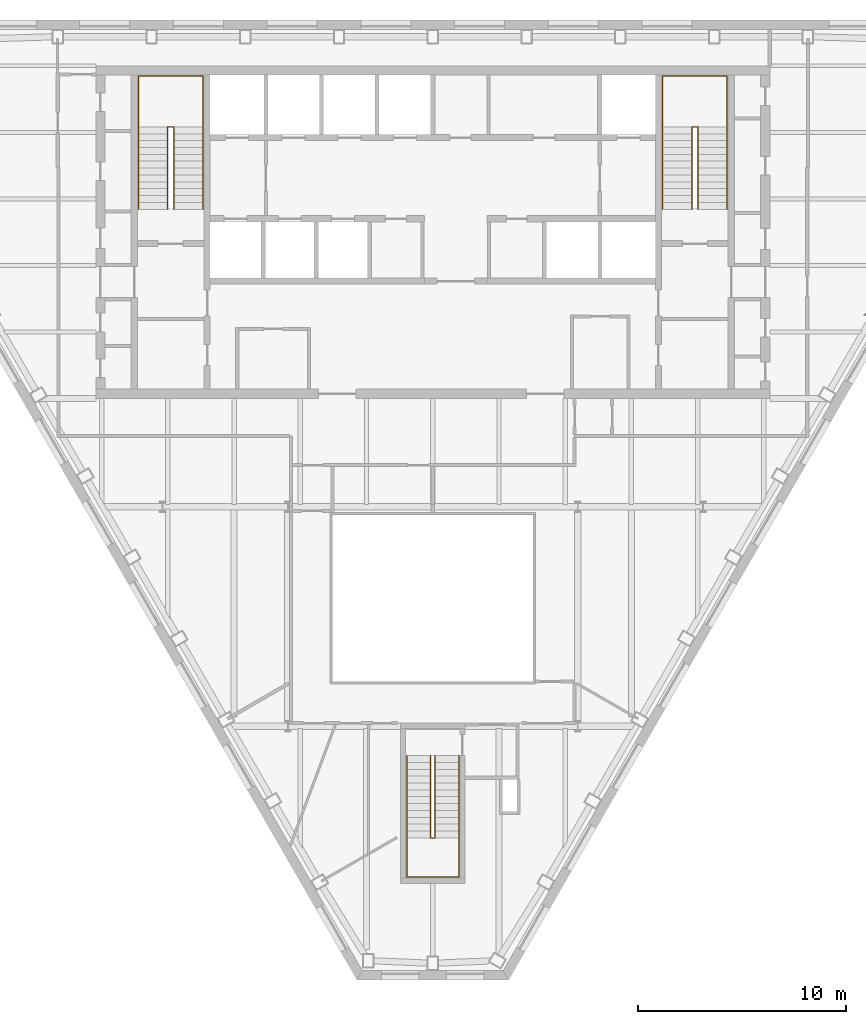
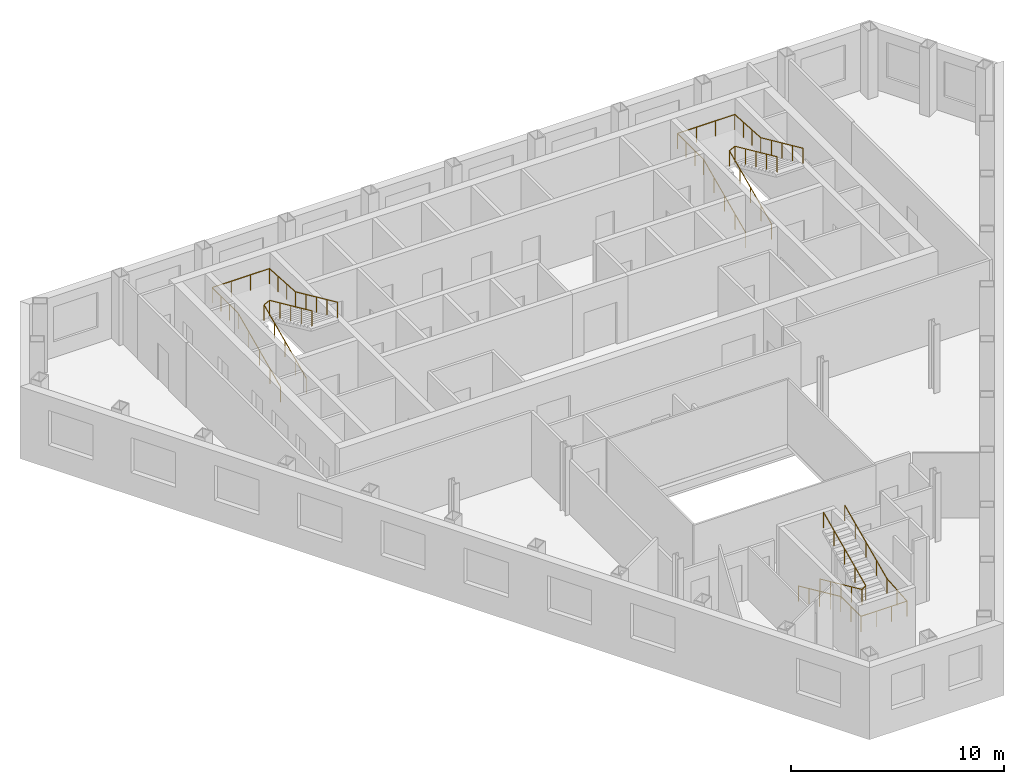
# One storey, part 11 of 11: 6 railings.
"""IFC4 building model written with IfcOpenShell, lengths in metres."""

from ifc_helpers import new_model, si_unit, direction, frame, origin, origin_2d, place, context, subcontext, project, spatial, circle, extrude, material, type_object, element, save


model = new_model("IFC4")

# Units and contexts
model_context = context("Model", 3, precision=1e-05, world=origin(), true_north=direction((0.0, 1.0)))
body_context = subcontext(model_context, "Body", "Model", "MODEL_VIEW")
ifc_project = project(units=[si_unit("LENGTHUNIT", "METRE"), si_unit("AREAUNIT", "SQUARE_METRE"), si_unit("VOLUMEUNIT", "CUBIC_METRE"), si_unit("PLANEANGLEUNIT", "RADIAN"), si_unit("MASSUNIT", "GRAM", prefix="KILO")], contexts=[model_context])

# Site, building, storey
site_placement = place(None, origin())
site = spatial("IfcSite", under=ifc_project, at=site_placement, CompositionType="ELEMENT")
building_placement = place(site_placement, origin())
building = spatial("IfcBuilding", under=site, at=building_placement, Name="Njiva Tower", CompositionType="ELEMENT")
storey_placement = place(building_placement, frame((0.0, 0.0, 212.1)))
storey = spatial("IfcBuildingStorey", under=building, at=storey_placement, Name="L47", CompositionType="ELEMENT", Elevation=212.1)

# Railings
ifc_material = material(Name="Stainless steel", Category="steel")
railing_type = type_object("IfcRailingType", Name="RL1 Stair handrail 900", PredefinedType="HANDRAIL", material=ifc_material)
railing_1_placement = place(storey_placement, frame((-14.15, 11.1, 0.15)))
element("IfcRailing", 1, at=railing_1_placement, inside=storey, type_object=railing_type, Name="Stair A handrail", PredefinedType="HANDRAIL", context=body_context, shape_type="SweptSolid", body=[
    extrude(circle(Radius=0.024, at=origin_2d()), frame((0.0, 0.0, 0.876), z_axis=(0.0, 0.910366477463, 0.413802944301), x_axis=(-1.0, 0.0, 0.0)), (0.0, 0.0, 1.0), 4.3499),
    extrude(circle(Radius=0.024, at=origin_2d()), frame((0.0, 3.96, 2.676), z_axis=(0.0, 1.0, 0.0), x_axis=(-1.0, 0.0, 0.0)), (0.0, 0.0, 1.0), 2.44),
    extrude(circle(Radius=0.024, at=origin_2d()), frame((0.0, 6.4, 2.676), z_axis=(1.0, 0.0, 0.0), x_axis=(0.0, 1.0, 0.0)), (0.0, 0.0, 1.0), 3.1),
    extrude(circle(Radius=0.024, at=origin_2d()), frame((3.1, 6.4, 2.676), z_axis=(0.0, -0.998115726137, 0.061359573328), x_axis=(1.0, 0.0, 0.0)), (0.0, 0.0, 1.0), 2.4446),
    extrude(circle(Radius=0.024, at=origin_2d()), frame((3.1, 3.96, 2.826), z_axis=(0.0, -0.910366477463, 0.413802944301), x_axis=(1.0, 0.0, 0.0)), (0.0, 0.0, 1.0), 4.3499),
    extrude(circle(Radius=0.021, at=origin_2d()), origin(), (0.0, 0.0, 1.0), 0.852),
    extrude(circle(Radius=0.021, at=origin_2d()), frame((0.0, 0.99, 0.45)), (0.0, 0.0, 1.0), 0.852),
    extrude(circle(Radius=0.021, at=origin_2d()), frame((0.0, 1.98, 0.9)), (0.0, 0.0, 1.0), 0.852),
    extrude(circle(Radius=0.021, at=origin_2d()), frame((0.0, 2.97, 1.35)), (0.0, 0.0, 1.0), 0.852),
    extrude(circle(Radius=0.021, at=origin_2d()), frame((0.0, 3.96, 1.8)), (0.0, 0.0, 1.0), 0.852),
    extrude(circle(Radius=0.021, at=origin_2d()), frame((0.0, 4.7733, 1.8)), (0.0, 0.0, 1.0), 0.852),
    extrude(circle(Radius=0.021, at=origin_2d()), frame((0.0, 5.5867, 1.8)), (0.0, 0.0, 1.0), 0.852),
    extrude(circle(Radius=0.021, at=origin_2d()), frame((0.0, 6.4, 1.8)), (0.0, 0.0, 1.0), 0.852),
    extrude(circle(Radius=0.021, at=origin_2d()), frame((1.0333, 6.4, 1.8)), (0.0, 0.0, 1.0), 0.852),
    extrude(circle(Radius=0.021, at=origin_2d()), frame((2.0667, 6.4, 1.8)), (0.0, 0.0, 1.0), 0.852),
    extrude(circle(Radius=0.021, at=origin_2d()), frame((3.1, 6.4, 1.8)), (0.0, 0.0, 1.0), 0.852),
    extrude(circle(Radius=0.021, at=origin_2d()), frame((3.1, 5.5867, 1.85)), (0.0, 0.0, 1.0), 0.852),
    extrude(circle(Radius=0.021, at=origin_2d()), frame((3.1, 4.7733, 1.9)), (0.0, 0.0, 1.0), 0.852),
    extrude(circle(Radius=0.021, at=origin_2d()), frame((3.1, 3.96, 1.95)), (0.0, 0.0, 1.0), 0.852),
    extrude(circle(Radius=0.021, at=origin_2d()), frame((3.1, 2.97, 2.4)), (0.0, 0.0, 1.0), 0.852),
    extrude(circle(Radius=0.021, at=origin_2d()), frame((3.1, 1.98, 2.85)), (0.0, 0.0, 1.0), 0.852),
    extrude(circle(Radius=0.021, at=origin_2d()), frame((3.1, 0.99, 3.3)), (0.0, 0.0, 1.0), 0.852),
    extrude(circle(Radius=0.021, at=origin_2d()), frame((3.1, 0.0, 3.75)), (0.0, 0.0, 1.0), 0.852),
])
railing_2_placement = place(storey_placement, frame((-12.75, 11.1, 0.15)))
element("IfcRailing", 2, at=railing_2_placement, inside=storey, type_object=railing_type, Name="Stair A handrail", PredefinedType="HANDRAIL", context=body_context, shape_type="SweptSolid", body=[
    extrude(circle(Radius=0.024, at=origin_2d()), frame((0.0, 0.0, 0.876), z_axis=(0.0, 0.910366477463, 0.413802944301), x_axis=(-1.0, 0.0, 0.0)), (0.0, 0.0, 1.0), 4.3499),
    extrude(circle(Radius=0.024, at=origin_2d()), frame((0.0, 3.96, 2.676), z_axis=(0.894427191, 0.0, 0.4472135955), x_axis=(0.0, 1.0, 0.0)), (0.0, 0.0, 1.0), 0.3354),
    extrude(circle(Radius=0.024, at=origin_2d()), frame((0.3, 3.96, 2.826), z_axis=(0.0, -0.910366477463, 0.413802944301), x_axis=(1.0, 0.0, 0.0)), (0.0, 0.0, 1.0), 4.3499),
    extrude(circle(Radius=0.021, at=origin_2d()), origin(), (0.0, 0.0, 1.0), 0.852),
    extrude(circle(Radius=0.021, at=origin_2d()), frame((0.0, 0.99, 0.45)), (0.0, 0.0, 1.0), 0.852),
    extrude(circle(Radius=0.021, at=origin_2d()), frame((0.0, 1.98, 0.9)), (0.0, 0.0, 1.0), 0.852),
    extrude(circle(Radius=0.021, at=origin_2d()), frame((0.0, 2.97, 1.35)), (0.0, 0.0, 1.0), 0.852),
    extrude(circle(Radius=0.021, at=origin_2d()), frame((0.0, 3.96, 1.8)), (0.0, 0.0, 1.0), 0.852),
    extrude(circle(Radius=0.021, at=origin_2d()), frame((0.3, 3.96, 1.95)), (0.0, 0.0, 1.0), 0.852),
    extrude(circle(Radius=0.021, at=origin_2d()), frame((0.3, 2.97, 2.4)), (0.0, 0.0, 1.0), 0.852),
    extrude(circle(Radius=0.021, at=origin_2d()), frame((0.3, 1.98, 2.85)), (0.0, 0.0, 1.0), 0.852),
    extrude(circle(Radius=0.021, at=origin_2d()), frame((0.3, 0.99, 3.3)), (0.0, 0.0, 1.0), 0.852),
    extrude(circle(Radius=0.021, at=origin_2d()), frame((0.3, 0.0, 3.75)), (0.0, 0.0, 1.0), 0.852),
])
railing_3_placement = place(storey_placement, frame((11.05, 11.1, 0.15)))
element("IfcRailing", 3, at=railing_3_placement, inside=storey, type_object=railing_type, Name="Stair B handrail", PredefinedType="HANDRAIL", context=body_context, shape_type="SweptSolid", body=[
    extrude(circle(Radius=0.024, at=origin_2d()), frame((0.0, 0.0, 0.876), z_axis=(0.0, 0.910366477463, 0.413802944301), x_axis=(-1.0, 0.0, 0.0)), (0.0, 0.0, 1.0), 4.3499),
    extrude(circle(Radius=0.024, at=origin_2d()), frame((0.0, 3.96, 2.676), z_axis=(0.0, 1.0, 0.0), x_axis=(-1.0, 0.0, 0.0)), (0.0, 0.0, 1.0), 2.44),
    extrude(circle(Radius=0.024, at=origin_2d()), frame((0.0, 6.4, 2.676), z_axis=(1.0, 0.0, 0.0), x_axis=(0.0, 1.0, 0.0)), (0.0, 0.0, 1.0), 3.1),
    extrude(circle(Radius=0.024, at=origin_2d()), frame((3.1, 6.4, 2.676), z_axis=(0.0, -0.998115726137, 0.061359573328), x_axis=(1.0, 0.0, 0.0)), (0.0, 0.0, 1.0), 2.4446),
    extrude(circle(Radius=0.024, at=origin_2d()), frame((3.1, 3.96, 2.826), z_axis=(0.0, -0.910366477463, 0.413802944301), x_axis=(1.0, 0.0, 0.0)), (0.0, 0.0, 1.0), 4.3499),
    extrude(circle(Radius=0.021, at=origin_2d()), origin(), (0.0, 0.0, 1.0), 0.852),
    extrude(circle(Radius=0.021, at=origin_2d()), frame((0.0, 0.99, 0.45)), (0.0, 0.0, 1.0), 0.852),
    extrude(circle(Radius=0.021, at=origin_2d()), frame((0.0, 1.98, 0.9)), (0.0, 0.0, 1.0), 0.852),
    extrude(circle(Radius=0.021, at=origin_2d()), frame((0.0, 2.97, 1.35)), (0.0, 0.0, 1.0), 0.852),
    extrude(circle(Radius=0.021, at=origin_2d()), frame((0.0, 3.96, 1.8)), (0.0, 0.0, 1.0), 0.852),
    extrude(circle(Radius=0.021, at=origin_2d()), frame((0.0, 4.7733, 1.8)), (0.0, 0.0, 1.0), 0.852),
    extrude(circle(Radius=0.021, at=origin_2d()), frame((0.0, 5.5867, 1.8)), (0.0, 0.0, 1.0), 0.852),
    extrude(circle(Radius=0.021, at=origin_2d()), frame((0.0, 6.4, 1.8)), (0.0, 0.0, 1.0), 0.852),
    extrude(circle(Radius=0.021, at=origin_2d()), frame((1.0333, 6.4, 1.8)), (0.0, 0.0, 1.0), 0.852),
    extrude(circle(Radius=0.021, at=origin_2d()), frame((2.0667, 6.4, 1.8)), (0.0, 0.0, 1.0), 0.852),
    extrude(circle(Radius=0.021, at=origin_2d()), frame((3.1, 6.4, 1.8)), (0.0, 0.0, 1.0), 0.852),
    extrude(circle(Radius=0.021, at=origin_2d()), frame((3.1, 5.5867, 1.85)), (0.0, 0.0, 1.0), 0.852),
    extrude(circle(Radius=0.021, at=origin_2d()), frame((3.1, 4.7733, 1.9)), (0.0, 0.0, 1.0), 0.852),
    extrude(circle(Radius=0.021, at=origin_2d()), frame((3.1, 3.96, 1.95)), (0.0, 0.0, 1.0), 0.852),
    extrude(circle(Radius=0.021, at=origin_2d()), frame((3.1, 2.97, 2.4)), (0.0, 0.0, 1.0), 0.852),
    extrude(circle(Radius=0.021, at=origin_2d()), frame((3.1, 1.98, 2.85)), (0.0, 0.0, 1.0), 0.852),
    extrude(circle(Radius=0.021, at=origin_2d()), frame((3.1, 0.99, 3.3)), (0.0, 0.0, 1.0), 0.852),
    extrude(circle(Radius=0.021, at=origin_2d()), frame((3.1, 0.0, 3.75)), (0.0, 0.0, 1.0), 0.852),
])
railing_4_placement = place(storey_placement, frame((12.45, 11.1, 0.15)))
element("IfcRailing", 4, at=railing_4_placement, inside=storey, type_object=railing_type, Name="Stair B handrail", PredefinedType="HANDRAIL", context=body_context, shape_type="SweptSolid", body=[
    extrude(circle(Radius=0.024, at=origin_2d()), frame((0.0, 0.0, 0.876), z_axis=(0.0, 0.910366477463, 0.413802944301), x_axis=(-1.0, 0.0, 0.0)), (0.0, 0.0, 1.0), 4.3499),
    extrude(circle(Radius=0.024, at=origin_2d()), frame((0.0, 3.96, 2.676), z_axis=(0.894427191, 0.0, 0.4472135955), x_axis=(0.0, 1.0, 0.0)), (0.0, 0.0, 1.0), 0.3354),
    extrude(circle(Radius=0.024, at=origin_2d()), frame((0.3, 3.96, 2.826), z_axis=(0.0, -0.910366477463, 0.413802944301), x_axis=(1.0, 0.0, 0.0)), (0.0, 0.0, 1.0), 4.3499),
    extrude(circle(Radius=0.021, at=origin_2d()), origin(), (0.0, 0.0, 1.0), 0.852),
    extrude(circle(Radius=0.021, at=origin_2d()), frame((0.0, 0.99, 0.45)), (0.0, 0.0, 1.0), 0.852),
    extrude(circle(Radius=0.021, at=origin_2d()), frame((0.0, 1.98, 0.9)), (0.0, 0.0, 1.0), 0.852),
    extrude(circle(Radius=0.021, at=origin_2d()), frame((0.0, 2.97, 1.35)), (0.0, 0.0, 1.0), 0.852),
    extrude(circle(Radius=0.021, at=origin_2d()), frame((0.0, 3.96, 1.8)), (0.0, 0.0, 1.0), 0.852),
    extrude(circle(Radius=0.021, at=origin_2d()), frame((0.3, 3.96, 1.95)), (0.0, 0.0, 1.0), 0.852),
    extrude(circle(Radius=0.021, at=origin_2d()), frame((0.3, 2.97, 2.4)), (0.0, 0.0, 1.0), 0.852),
    extrude(circle(Radius=0.021, at=origin_2d()), frame((0.3, 1.98, 2.85)), (0.0, 0.0, 1.0), 0.852),
    extrude(circle(Radius=0.021, at=origin_2d()), frame((0.3, 0.99, 3.3)), (0.0, 0.0, 1.0), 0.852),
    extrude(circle(Radius=0.021, at=origin_2d()), frame((0.3, 0.0, 3.75)), (0.0, 0.0, 1.0), 0.852),
])
railing_5_placement = place(storey_placement, frame((-1.25, -15.16, 0.15)))
element("IfcRailing", 5, at=railing_5_placement, inside=storey, type_object=railing_type, Name="Stair C handrail", PredefinedType="HANDRAIL", context=body_context, shape_type="SweptSolid", body=[
    extrude(circle(Radius=0.024, at=origin_2d()), frame((0.0, 0.0, 0.876), z_axis=(0.0, -0.910366477463, 0.413802944301), x_axis=(1.0, 0.0, 0.0)), (0.0, 0.0, 1.0), 4.3499),
    extrude(circle(Radius=0.024, at=origin_2d()), frame((0.0, -3.96, 2.676), z_axis=(0.0, -1.0, 0.0), x_axis=(1.0, 0.0, 0.0)), (0.0, 0.0, 1.0), 1.88),
    extrude(circle(Radius=0.024, at=origin_2d()), frame((0.0, -5.84, 2.676), z_axis=(1.0, 0.0, 0.0), x_axis=(0.0, 1.0, 0.0)), (0.0, 0.0, 1.0), 2.5),
    extrude(circle(Radius=0.024, at=origin_2d()), frame((2.5, -5.84, 2.676), z_axis=(0.0, 0.996832115713, 0.079534477318), x_axis=(-1.0, 0.0, 0.0)), (0.0, 0.0, 1.0), 1.886),
    extrude(circle(Radius=0.024, at=origin_2d()), frame((2.5, -3.96, 2.826), z_axis=(0.0, 0.910366477463, 0.413802944301), x_axis=(-1.0, 0.0, 0.0)), (0.0, 0.0, 1.0), 4.3499),
    extrude(circle(Radius=0.021, at=origin_2d()), origin(), (0.0, 0.0, 1.0), 0.852),
    extrude(circle(Radius=0.021, at=origin_2d()), frame((0.0, -0.99, 0.45)), (0.0, 0.0, 1.0), 0.852),
    extrude(circle(Radius=0.021, at=origin_2d()), frame((0.0, -1.98, 0.9)), (0.0, 0.0, 1.0), 0.852),
    extrude(circle(Radius=0.021, at=origin_2d()), frame((0.0, -2.97, 1.35)), (0.0, 0.0, 1.0), 0.852),
    extrude(circle(Radius=0.021, at=origin_2d()), frame((0.0, -3.96, 1.8)), (0.0, 0.0, 1.0), 0.852),
    extrude(circle(Radius=0.021, at=origin_2d()), frame((0.0, -4.9, 1.8)), (0.0, 0.0, 1.0), 0.852),
    extrude(circle(Radius=0.021, at=origin_2d()), frame((0.0, -5.84, 1.8)), (0.0, 0.0, 1.0), 0.852),
    extrude(circle(Radius=0.021, at=origin_2d()), frame((0.8333, -5.84, 1.8)), (0.0, 0.0, 1.0), 0.852),
    extrude(circle(Radius=0.021, at=origin_2d()), frame((1.6667, -5.84, 1.8)), (0.0, 0.0, 1.0), 0.852),
    extrude(circle(Radius=0.021, at=origin_2d()), frame((2.5, -5.84, 1.8)), (0.0, 0.0, 1.0), 0.852),
    extrude(circle(Radius=0.021, at=origin_2d()), frame((2.5, -4.9, 1.875)), (0.0, 0.0, 1.0), 0.852),
    extrude(circle(Radius=0.021, at=origin_2d()), frame((2.5, -3.96, 1.95)), (0.0, 0.0, 1.0), 0.852),
    extrude(circle(Radius=0.021, at=origin_2d()), frame((2.5, -2.97, 2.4)), (0.0, 0.0, 1.0), 0.852),
    extrude(circle(Radius=0.021, at=origin_2d()), frame((2.5, -1.98, 2.85)), (0.0, 0.0, 1.0), 0.852),
    extrude(circle(Radius=0.021, at=origin_2d()), frame((2.5, -0.99, 3.3)), (0.0, 0.0, 1.0), 0.852),
    extrude(circle(Radius=0.021, at=origin_2d()), frame((2.5, 0.0, 3.75)), (0.0, 0.0, 1.0), 0.852),
])
railing_6_placement = place(storey_placement, frame((-0.1, -15.16, 0.15)))
element("IfcRailing", 6, at=railing_6_placement, inside=storey, type_object=railing_type, Name="Stair C handrail", PredefinedType="HANDRAIL", context=body_context, shape_type="SweptSolid", body=[
    extrude(circle(Radius=0.024, at=origin_2d()), frame((0.0, 0.0, 0.876), z_axis=(0.0, -0.910366477463, 0.413802944301), x_axis=(1.0, 0.0, 0.0)), (0.0, 0.0, 1.0), 4.3499),
    extrude(circle(Radius=0.024, at=origin_2d()), frame((0.0, -3.96, 2.676), z_axis=(0.8, 0.0, 0.6), x_axis=(0.0, 1.0, 0.0)), (0.0, 0.0, 1.0), 0.25),
    extrude(circle(Radius=0.024, at=origin_2d()), frame((0.2, -3.96, 2.826), z_axis=(0.0, 0.910366477463, 0.413802944301), x_axis=(-1.0, 0.0, 0.0)), (0.0, 0.0, 1.0), 4.3499),
    extrude(circle(Radius=0.021, at=origin_2d()), origin(), (0.0, 0.0, 1.0), 0.852),
    extrude(circle(Radius=0.021, at=origin_2d()), frame((0.0, -0.99, 0.45)), (0.0, 0.0, 1.0), 0.852),
    extrude(circle(Radius=0.021, at=origin_2d()), frame((0.0, -1.98, 0.9)), (0.0, 0.0, 1.0), 0.852),
    extrude(circle(Radius=0.021, at=origin_2d()), frame((0.0, -2.97, 1.35)), (0.0, 0.0, 1.0), 0.852),
    extrude(circle(Radius=0.021, at=origin_2d()), frame((0.0, -3.96, 1.8)), (0.0, 0.0, 1.0), 0.852),
    extrude(circle(Radius=0.021, at=origin_2d()), frame((0.2, -3.96, 1.95)), (0.0, 0.0, 1.0), 0.852),
    extrude(circle(Radius=0.021, at=origin_2d()), frame((0.2, -2.97, 2.4)), (0.0, 0.0, 1.0), 0.852),
    extrude(circle(Radius=0.021, at=origin_2d()), frame((0.2, -1.98, 2.85)), (0.0, 0.0, 1.0), 0.852),
    extrude(circle(Radius=0.021, at=origin_2d()), frame((0.2, -0.99, 3.3)), (0.0, 0.0, 1.0), 0.852),
    extrude(circle(Radius=0.021, at=origin_2d()), frame((0.2, 0.0, 3.75)), (0.0, 0.0, 1.0), 0.852),
])

save(model, "model.ifc")
